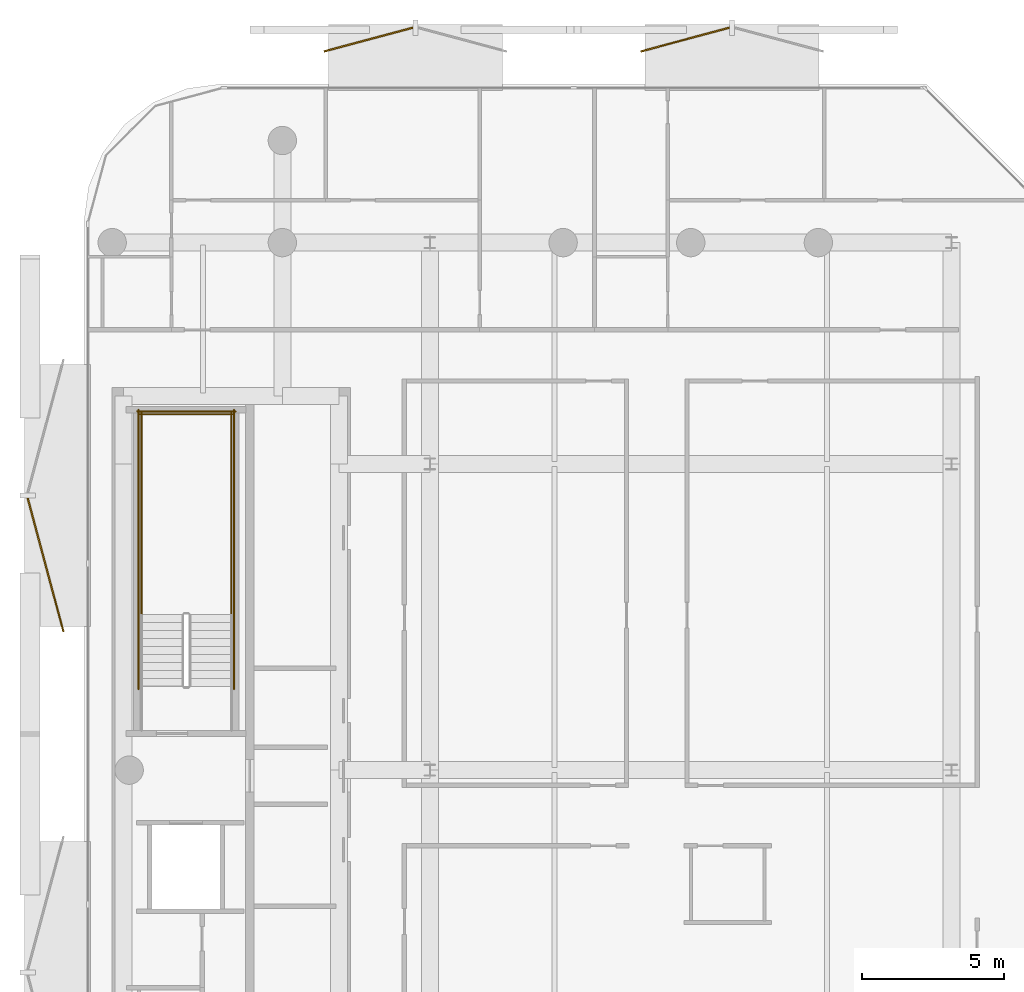
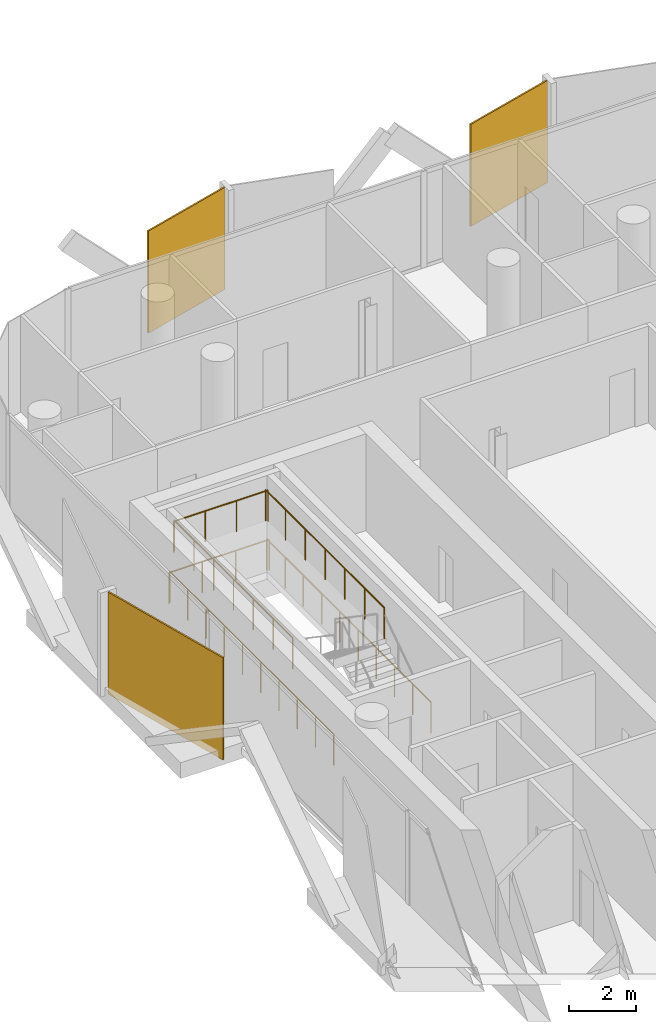
# One storey, part 16 of 16: 6 railings, 3 coverings.
"""IFC4 building model written with IfcOpenShell, lengths in metres."""

import ifcopenshell
import ifcopenshell.guid

model = None  # the IFC model being written
_history = None  # IfcOwnerHistory: only IFC2X3 demands one
_inside = {}  # id of a spatial element -> (the spatial element, [elements in it])
_under = {}  # id of a project, library or spatial element -> (it, [spatial elements below it])
_declared = {}  # id of a project -> (the project, [libraries it declares])
_typed = {}  # id of a type object -> (the type object, [elements of that type])
_made_of = {}  # id of a material, layer set ... -> (it, [elements and type objects made of it])


def new_model(schema):
    """Start an empty IFC model of exactly this schema.

    Asked for "IFC4X3", IfcOpenShell would pick the latest addendum, in which some entities
    have other attributes; the version numbers below select the first issue.
    IFC2X3 requires an IfcOwnerHistory on every rooted entity: one is made here for all.
    """
    global model, _history
    if schema == "IFC4X3":
        model = ifcopenshell.file(schema_version=(4, 3, 0, 0))
    else:
        model = ifcopenshell.file(schema=schema)
    _inside.clear()
    _under.clear()
    _declared.clear()
    _typed.clear()
    _made_of.clear()
    _history = None
    if model.schema == "IFC2X3":
        org = make("IfcOrganization", Name="unknown")
        user = make(
            "IfcPersonAndOrganization",
            ThePerson=make("IfcPerson", FamilyName="unknown"),
            TheOrganization=org,
        )
        app = make(
            "IfcApplication",
            ApplicationDeveloper=org,
            Version="unknown",
            ApplicationFullName="unknown",
            ApplicationIdentifier="unknown",
        )
        _history = make(
            "IfcOwnerHistory",
            OwningUser=user,
            OwningApplication=app,
            ChangeAction="ADDED",
            CreationDate=0,
        )
    return model


def make(cls, **values):
    """One entity of the class cls with the attributes given. An attribute that is None is left unset."""
    return model.create_entity(
        cls, **{name: value for name, value in values.items() if value is not None}
    )


def rooted(cls, **values):
    """An entity with a GlobalId (a new one), such as an element, a storey or a relation."""
    return make(cls, GlobalId=ifcopenshell.guid.new(), OwnerHistory=_history, **values)


def si_unit(unit_type, name, prefix=None):
    """IfcSIUnit, for example si_unit("LENGTHUNIT", "METRE", prefix="MILLI")."""
    return make("IfcSIUnit", UnitType=unit_type, Prefix=prefix, Name=name)


def assignment(units):
    """IfcUnitAssignment: the units of a project."""
    return None if units is None else make("IfcUnitAssignment", Units=units)


def point(xyz):
    """IfcCartesianPoint."""
    return None if xyz is None else make("IfcCartesianPoint", Coordinates=xyz)


def direction(xyz):
    """IfcDirection."""
    return None if xyz is None else make("IfcDirection", DirectionRatios=xyz)


def frame(location, z_axis=None, x_axis=None):
    """IfcAxis2Placement3D, a coordinate frame: its origin and axes. An axis left out is left unset."""
    return make(
        "IfcAxis2Placement3D",
        Location=point(location),
        Axis=direction(z_axis),
        RefDirection=direction(x_axis),
    )


def frame_2d(location, x_axis=None):
    """IfcAxis2Placement2D, a coordinate frame in the plane: its origin and x axis."""
    return make(
        "IfcAxis2Placement2D", Location=point(location), RefDirection=direction(x_axis)
    )


def origin():
    """The frame at (0, 0, 0) with its axes left unset."""
    return frame((0.0, 0.0, 0.0))


def origin_2d():
    """The frame at (0, 0) in the plane with its x axis left unset."""
    return frame_2d((0.0, 0.0))


def place(relative_to, where):
    """IfcLocalPlacement: puts the frame where relative to a parent placement (None: the world)."""
    return make(
        "IfcLocalPlacement", PlacementRelTo=relative_to, RelativePlacement=where
    )


def context(
    kind, dimensions, precision=None, world=None, true_north=None, identifier=None
):
    """IfcGeometricRepresentationContext, for example the 3D "Model" context."""
    return make(
        "IfcGeometricRepresentationContext",
        ContextIdentifier=identifier,
        ContextType=kind,
        CoordinateSpaceDimension=dimensions,
        Precision=precision,
        WorldCoordinateSystem=world,
        TrueNorth=true_north,
    )


def subcontext(parent, identifier, kind, view, scale=None):
    """IfcGeometricRepresentationSubContext, for example "Body" below "Model"."""
    return make(
        "IfcGeometricRepresentationSubContext",
        ContextIdentifier=identifier,
        ContextType=kind,
        ParentContext=parent,
        TargetScale=scale,
        TargetView=view,
    )


def project(units=None, contexts=None):
    """IfcProject with its units and contexts."""
    return rooted(
        "IfcProject",
        Name="project",
        RepresentationContexts=contexts,
        UnitsInContext=assignment(units),
    )


def spatial(cls, under=None, at=None, **own):
    """A site, building, storey or space (cls), placed at a placement, below another one or the project."""
    s = rooted(cls, ObjectPlacement=at, **own)
    if under is not None:
        _under.setdefault(under.id(), (under, []))[1].append(s)
    return s


def profile(cls, at=None, kind="AREA", **sizes):
    """A parametric profile (cls). Its sizes go by their IFC names, for example OverallWidth=200.0."""
    return make(cls, ProfileType=kind, Position=at, **sizes)


def rectangle(**sizes):
    """IfcRectangleProfileDef."""
    return profile("IfcRectangleProfileDef", **sizes)


def circle(**sizes):
    """IfcCircleProfileDef."""
    return profile("IfcCircleProfileDef", **sizes)


def extrude(swept, where, along, depth):
    """IfcExtrudedAreaSolid: the profile swept, set in the frame where, extruded along a direction by depth."""
    return make(
        "IfcExtrudedAreaSolid",
        SweptArea=swept,
        Position=where,
        ExtrudedDirection=direction(along),
        Depth=depth,
    )


def shape(context_of_items, identifier, shape_type, items):
    """IfcShapeRepresentation: the items that make up one representation, for example the "Body"."""
    return make(
        "IfcShapeRepresentation",
        ContextOfItems=context_of_items,
        RepresentationIdentifier=identifier,
        RepresentationType=shape_type,
        Items=items,
    )


def material(Name=None, Category=None):
    """IfcMaterial."""
    return make("IfcMaterial", Name=Name, Category=Category)


def layer(
    of_material, thickness, ventilated=None, Name=None, Category=None, Priority=None
):
    """IfcMaterialLayer: one layer of a wall or slab, of a material (None: an air gap)."""
    return make(
        "IfcMaterialLayer",
        Material=of_material,
        LayerThickness=thickness,
        IsVentilated=ventilated,
        Name=Name,
        Category=Category,
        Priority=Priority,
    )


def layer_set(layers, Name=None):
    """IfcMaterialLayerSet."""
    return make("IfcMaterialLayerSet", MaterialLayers=layers, LayerSetName=Name)


def made_of(thing, what):
    """Note that an element or type object is made of a material, layer set ...; save() writes the relation."""
    if what is not None:
        _made_of.setdefault(what.id(), (what, []))[1].append(thing)
    return thing


def type_object(cls, material=None, **own):
    """A type object (cls), such as IfcWallType, which elements share."""
    return made_of(rooted(cls, **own), material)


def element(
    cls,
    number,
    at=None,
    inside=None,
    cuts=None,
    type_object=None,
    material=None,
    context=None,
    identifier="Body",
    shape_type=None,
    held_by="IfcProductDefinitionShape",
    body=None,
    shapes=None,
    **own,
):
    """One element of the class cls, such as IfcWall. Its Tag is "e" and its number.

    at: its placement. inside: the storey or other place that contains it. cuts: it is an
    opening in that element (IfcRelVoidsElement). A single representation is given by context,
    identifier, shape_type and body (its items); several are given by shapes. held_by: the class
    of the entity that holds the representations. save() writes the other relations.
    """
    e = rooted(cls, Tag="e%d" % number, ObjectPlacement=at, **own)
    if body is not None:
        shapes = [shape(context, identifier, shape_type, body)]
    if shapes is not None:
        e.Representation = make(held_by, Representations=shapes)
    if inside is not None:
        _inside.setdefault(inside.id(), (inside, []))[1].append(e)
    if cuts is not None:
        rooted(
            "IfcRelVoidsElement", RelatingBuildingElement=cuts, RelatedOpeningElement=e
        )
    if type_object is not None:
        _typed.setdefault(type_object.id(), (type_object, []))[1].append(e)
    return made_of(e, material)


def aggregate(whole, parts):
    """IfcRelAggregates: a whole, such as a stair, and the parts it consists of."""
    return rooted("IfcRelAggregates", RelatingObject=whole, RelatedObjects=parts)


def save(model, path):
    """Write the relations noted so far, then the file.

    IfcRelAggregates (storeys below a building ...), IfcRelContainedInSpatialStructure (elements
    in a storey), IfcRelDefinesByType, IfcRelAssociatesMaterial and IfcRelDeclares: one each for
    every whole, place, type object, material and project.
    """
    for whole, parts in _under.values():
        aggregate(whole, parts)
    for where, things in _inside.values():
        rooted(
            "IfcRelContainedInSpatialStructure",
            RelatedElements=things,
            RelatingStructure=where,
        )
    for kind, things in _typed.values():
        rooted("IfcRelDefinesByType", RelatedObjects=things, RelatingType=kind)
    for what, things in _made_of.values():
        rooted("IfcRelAssociatesMaterial", RelatedObjects=things, RelatingMaterial=what)
    for by, libraries in _declared.values():
        rooted("IfcRelDeclares", RelatingContext=by, RelatedDefinitions=libraries)
    model.write(path)


model = new_model("IFC4")

# Units and contexts
model_context = context("Model", 3, precision=1e-05, world=origin(), true_north=direction((0.0, 1.0)))
body_context = subcontext(model_context, "Body", "Model", "MODEL_VIEW")
ifc_project = project(units=[si_unit("LENGTHUNIT", "METRE"), si_unit("AREAUNIT", "SQUARE_METRE"), si_unit("VOLUMEUNIT", "CUBIC_METRE"), si_unit("PLANEANGLEUNIT", "RADIAN"), si_unit("MASSUNIT", "GRAM", prefix="KILO")], contexts=[model_context])

# Site, building, storey
site_placement = place(None, origin())
site = spatial("IfcSite", under=ifc_project, at=site_placement, CompositionType="ELEMENT")
building_placement = place(site_placement, origin())
building = spatial("IfcBuilding", under=site, at=building_placement, Name="Khairoan Windgate Tower", CompositionType="ELEMENT")
storey_placement = place(building_placement, frame((0.0, 0.0, 296.60009765625)))
storey = spatial("IfcBuildingStorey", under=building, at=storey_placement, Name="L71", CompositionType="ELEMENT", Elevation=296.60009765625)

# Coverings
ifc_material_1 = material(Name="Anodised Bronze Aluminium 6063-T6", Category="aluminium")
ifc_layer = layer(ifc_material_1, 0.054931640625, Name="Anodised Bronze Aluminium 6063-T6")
ifc_layer_set = layer_set([ifc_layer], Name="Anodised Bronze Aluminium 6063-T6")
covering_type = type_object("IfcCoveringType", Name="Perforated Bronze-Ceramic Folded Solar Screen Cladding BSC-1", PredefinedType="CLADDING", material=ifc_layer_set)
covering_placement = place(storey_placement, frame((-22.748779296875, 7.2373046875, -0.10009765625), z_axis=(0.0, 0.0, 1.0), x_axis=(-0.258819045103, 0.965925826289, 0.0)))
element("IfcCovering", 1, at=covering_placement, inside=storey, type_object=covering_type, Name="L71 Folded Bronze Solar Screen Facet 497L", PredefinedType="CLADDING", context=body_context, shape_type="SweptSolid", body=[
    extrude(rectangle(XDim=4.876953125, YDim=0.054931640625, at=origin_2d()), origin(), (0.0, 0.0, 1.0), 3.739990234375),
])
for number, where, z_axis, x_axis, name in (
    (2, (-11.361328125, 25.760986328125, -0.10009765625), (0.0, 0.0, 1.0), (0.965925826289, 0.258819045103, 0.0), "L71 Folded Bronze Solar Screen Facet 498L"),
    (3, (-0.195068359375, 25.760986328125, -0.10009765625), (0.0, 0.0, 1.0), (0.965925826289, 0.258819045103, 0.0), "L71 Folded Bronze Solar Screen Facet 499L"),
):
    element("IfcCovering", number, at=place(storey_placement, frame(where, z_axis=z_axis, x_axis=x_axis)), inside=storey, type_object=covering_type, Name=name, PredefinedType="CLADDING", context=body_context, shape_type="SweptSolid", body=[
        extrude(rectangle(XDim=3.238037109375, YDim=0.054931640625, at=origin_2d()), origin(), (0.0, 0.0, 1.0), 3.739990234375),
    ])

# Railings
ifc_material_2 = material(Name="Steel S355", Category="steel")
railing_type = type_object("IfcRailingType", Name="Stairwell Safety Guardrail SGR-1150", PredefinedType="GUARDRAIL", material=ifc_material_2)
for number, where, name in (
    (4, (-16.199951171875, 5.47998046875, 1.89990234375), "L71 ST2 stair guard 3"),
    (5, (-19.3701171875, 5.47998046875, 1.89990234375), "L71 ST2 stair guard 4"),
):
    element("IfcRailing", number, at=place(storey_placement, frame(where)), inside=storey, type_object=railing_type, Name=name, PredefinedType="GUARDRAIL", context=body_context, shape_type="SweptSolid", body=[
        extrude(circle(Radius=0.02392578125, at=origin_2d()), frame((0.0, 0.0, 1.1259765625), z_axis=(0.0, 1.0, 0.0), x_axis=(-1.0, 0.0, 0.0)), (0.0, 0.0, 1.0), 7.1201171875),
        extrude(circle(Radius=0.02099609375, at=origin_2d()), origin(), (0.0, 0.0, 1.0), 1.101806640625),
        extrude(circle(Radius=0.02099609375, at=origin_2d()), frame((0.0, 1.186767578125, 0.0)), (0.0, 0.0, 1.0), 1.101806640625),
        extrude(circle(Radius=0.02099609375, at=origin_2d()), frame((0.0, 2.373291015625, 0.0)), (0.0, 0.0, 1.0), 1.101806640625),
        extrude(circle(Radius=0.02099609375, at=origin_2d()), frame((0.0, 3.56005859375, 0.0)), (0.0, 0.0, 1.0), 1.101806640625),
        extrude(circle(Radius=0.02099609375, at=origin_2d()), frame((0.0, 4.746826171875, 0.0)), (0.0, 0.0, 1.0), 1.101806640625),
        extrude(circle(Radius=0.02099609375, at=origin_2d()), frame((0.0, 5.933349609375, 0.0)), (0.0, 0.0, 1.0), 1.101806640625),
        extrude(circle(Radius=0.02099609375, at=origin_2d()), frame((0.0, 7.1201171875, 0.0)), (0.0, 0.0, 1.0), 1.101806640625),
    ])
railing_1_placement = place(storey_placement, frame((-16.14990234375, 12.550048828125, 1.89990234375)))
element("IfcRailing", 6, at=railing_1_placement, inside=storey, type_object=railing_type, Name="L71 ST2 stair guard 5", PredefinedType="GUARDRAIL", context=body_context, shape_type="SweptSolid", body=[
    extrude(circle(Radius=0.02392578125, at=origin_2d()), frame((0.0, 0.0, 1.1259765625), z_axis=(-1.0, 0.0, 0.0), x_axis=(0.0, -1.0, 0.0)), (0.0, 0.0, 1.0), 3.27001953125),
    extrude(circle(Radius=0.02099609375, at=origin_2d()), origin(), (0.0, 0.0, 1.0), 1.101806640625),
    extrude(circle(Radius=0.02099609375, at=origin_2d()), frame((-1.090087890625, 0.0, 0.0)), (0.0, 0.0, 1.0), 1.101806640625),
    extrude(circle(Radius=0.02099609375, at=origin_2d()), frame((-2.179931640625, 0.0, 0.0)), (0.0, 0.0, 1.0), 1.101806640625),
    extrude(circle(Radius=0.02099609375, at=origin_2d()), frame((-3.27001953125, 0.0, 0.0)), (0.0, 0.0, 1.0), 1.101806640625),
])
for number, where, name in (
    (7, (-16.10009765625, 2.860107421875, 0.0), "L71 ST2 stair guard 10"),
    (8, (-19.469970703125, 2.860107421875, 0.0), "L71 ST2 stair guard 11"),
):
    element("IfcRailing", number, at=place(storey_placement, frame(where)), inside=storey, type_object=railing_type, Name=name, PredefinedType="GUARDRAIL", context=body_context, shape_type="SweptSolid", body=[
        extrude(circle(Radius=0.02392578125, at=origin_2d()), frame((0.0, 0.0, 1.1259765625), z_axis=(0.0, 1.0, 0.0), x_axis=(-1.0, 0.0, 0.0)), (0.0, 0.0, 1.0), 9.83984375),
        extrude(circle(Radius=0.02099609375, at=origin_2d()), origin(), (0.0, 0.0, 1.0), 1.101806640625),
        extrude(circle(Radius=0.02099609375, at=origin_2d()), frame((0.0, 1.09326171875, 0.0)), (0.0, 0.0, 1.0), 1.101806640625),
        extrude(circle(Radius=0.02099609375, at=origin_2d()), frame((0.0, 2.1865234375, 0.0)), (0.0, 0.0, 1.0), 1.101806640625),
        extrude(circle(Radius=0.02099609375, at=origin_2d()), frame((0.0, 3.280029296875, 0.0)), (0.0, 0.0, 1.0), 1.101806640625),
        extrude(circle(Radius=0.02099609375, at=origin_2d()), frame((0.0, 4.373291015625, 0.0)), (0.0, 0.0, 1.0), 1.101806640625),
        extrude(circle(Radius=0.02099609375, at=origin_2d()), frame((0.0, 5.466552734375, 0.0)), (0.0, 0.0, 1.0), 1.101806640625),
        extrude(circle(Radius=0.02099609375, at=origin_2d()), frame((0.0, 6.559814453125, 0.0)), (0.0, 0.0, 1.0), 1.101806640625),
        extrude(circle(Radius=0.02099609375, at=origin_2d()), frame((0.0, 7.6533203125, 0.0)), (0.0, 0.0, 1.0), 1.101806640625),
        extrude(circle(Radius=0.02099609375, at=origin_2d()), frame((0.0, 8.74658203125, 0.0)), (0.0, 0.0, 1.0), 1.101806640625),
        extrude(circle(Radius=0.02099609375, at=origin_2d()), frame((0.0, 9.83984375, 0.0)), (0.0, 0.0, 1.0), 1.101806640625),
    ])
railing_2_placement = place(storey_placement, frame((-16.050048828125, 12.64990234375, 0.0)))
element("IfcRailing", 9, at=railing_2_placement, inside=storey, type_object=railing_type, Name="L71 ST2 stair guard 12", PredefinedType="GUARDRAIL", context=body_context, shape_type="SweptSolid", body=[
    extrude(circle(Radius=0.02392578125, at=origin_2d()), frame((0.0, 0.0, 1.1259765625), z_axis=(-1.0, 0.0, 0.0), x_axis=(0.0, -1.0, 0.0)), (0.0, 0.0, 1.0), 3.469970703125),
    extrude(circle(Radius=0.02099609375, at=origin_2d()), origin(), (0.0, 0.0, 1.0), 1.101806640625),
    extrude(circle(Radius=0.02099609375, at=origin_2d()), frame((-1.15673828125, 0.0, 0.0)), (0.0, 0.0, 1.0), 1.101806640625),
    extrude(circle(Radius=0.02099609375, at=origin_2d()), frame((-2.313232421875, 0.0, 0.0)), (0.0, 0.0, 1.0), 1.101806640625),
    extrude(circle(Radius=0.02099609375, at=origin_2d()), frame((-3.469970703125, 0.0, 0.0)), (0.0, 0.0, 1.0), 1.101806640625),
])

save(model, "model.ifc")
